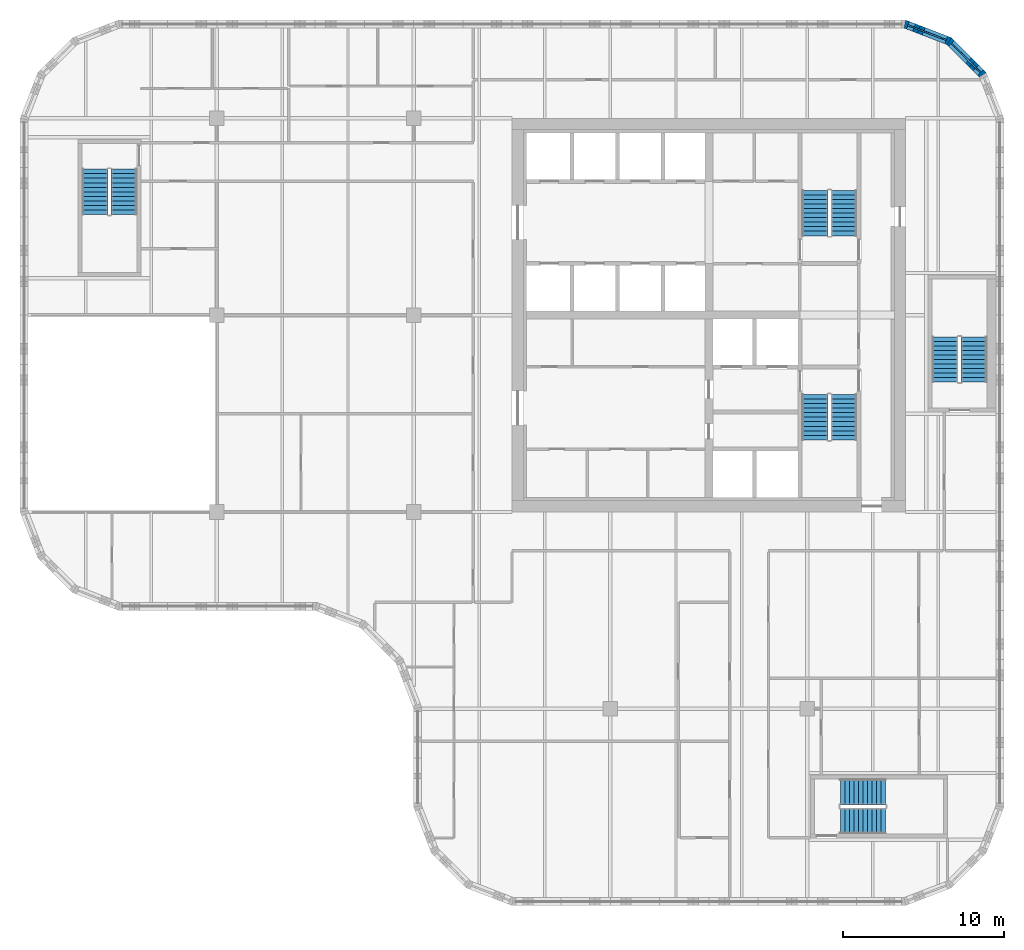
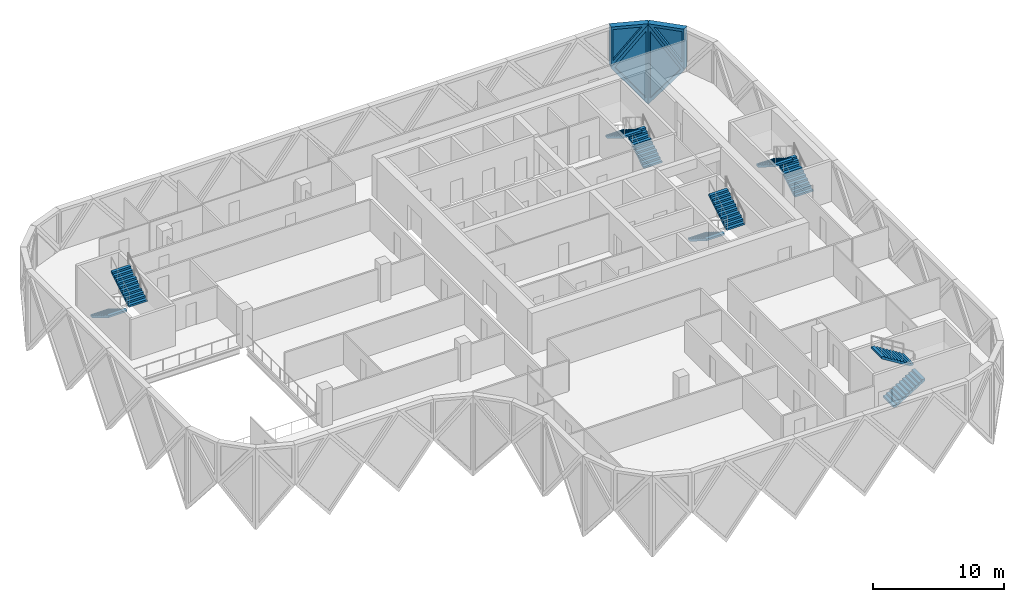
# One storey, part 14 of 15: 10 stair flights, 4 plates, 4 walls, 4 openings, 5 elements without a shape of their own.
"""IFC4 building model written with IfcOpenShell, lengths in metres."""

from ifc_helpers import new_model, si_unit, direction, frame, origin, place, context, subcontext, project, spatial, polyline, outline, extrude, faceted_brep, source, transform, mapped, material, layer, layer_set, type_object, element, fill, aggregate, save


model = new_model("IFC4")

# Units and contexts
model_context = context("Model", 3, precision=1e-05, world=origin(), true_north=direction((0.0, 1.0)))
body_context = subcontext(model_context, "Body", "Model", "MODEL_VIEW")
ifc_project = project(units=[si_unit("LENGTHUNIT", "METRE"), si_unit("AREAUNIT", "SQUARE_METRE"), si_unit("VOLUMEUNIT", "CUBIC_METRE"), si_unit("PLANEANGLEUNIT", "RADIAN"), si_unit("MASSUNIT", "GRAM", prefix="KILO")], contexts=[model_context])

# Site, building, storey
site_placement = place(None, origin())
site = spatial("IfcSite", under=ifc_project, at=site_placement, CompositionType="ELEMENT")
building_placement = place(site_placement, origin())
building = spatial("IfcBuilding", under=site, at=building_placement, Name="Tessera Gate Towers", CompositionType="ELEMENT")
storey_placement = place(building_placement, frame((0.0, 0.0, 146.800048828125)))
storey = spatial("IfcBuildingStorey", under=building, at=storey_placement, Name="L36", CompositionType="ELEMENT", Elevation=146.800048828125)

# Wall, opening, plate
ifc_material_1 = material(Name="Precast concrete C60/75 white", Category="concrete")
ifc_layer_1 = layer(ifc_material_1, 0.5)
ifc_layer_set_1 = layer_set([ifc_layer_1], Name="TS3 corner tessera")
wall_type = type_object("IfcWallType", Name="TS3 corner tessera", PredefinedType="SOLIDWALL", material=ifc_layer_set_1)
shared_shape_1 = source(origin(), body_context, "Body", "Brep", [
    faceted_brep([(2.944091796875, -0.25, 0.0), (2.9970703125, -0.25, 0.068115234375), (2.9970703125, -0.25, 7.531982421875), (2.944091796875, -0.25, 7.60009765625), (0.0, -0.25, 3.800048828125), (0.052978515625, 0.25, 3.868408203125), (2.89111328125, 0.25, 7.531982421875), (2.89111328125, 0.25, 0.068115234375), (0.052978515625, 0.25, 3.731689453125), (2.944091796875, 0.000244140625, 0.0), (2.944091796875, 0.000244140625, 7.60009765625), (0.0, 0.0, 3.800048828125)], [[[0, 1, 2, 3, 4]], [[5, 6, 7, 8]], [[1, 0, 9]], [[10, 3, 2]], [[6, 5, 11, 4, 3, 10]], [[8, 7, 9, 0, 4, 11]], [[8, 11, 5]], [[1, 9, 7, 6, 10, 2]]]),
])
wall_1_placement = place(storey_placement, frame((59.68798828125, 51.50634765625, -3.800048828125), z_axis=(0.0, 0.0, 1.0), x_axis=(-0.707106781187, 0.707106781187, 0.0)))
wall_1 = element("IfcWall", 1, at=wall_1_placement, inside=storey, type_object=wall_type, Name="Precast corner tessera T1 TS3-0823", PredefinedType="SOLIDWALL", context=body_context, shape_type="MappedRepresentation", body=[
    mapped(shared_shape_1, transform((0.0, 0.0, 0.0), scale=1.0)),
])
shared_shape_2 = source(origin(), body_context, "Body", "SweptSolid", [
    extrude(outline(polyline([(2.744140625, 6.93359375), (0.316162109375, 3.800048828125), (2.744140625, 0.666259765625), (2.744140625, 6.93359375)])), frame((0.0, 0.260009765625, 0.0), z_axis=(0.0, -1.0, 0.0), x_axis=(1.0, 0.0, 0.0)), (0.0, 0.0, 1.0), 0.52001953125),
])
opening_1_placement = place(wall_1_placement, origin())
opening_1 = element("IfcOpeningElement", 2, at=opening_1_placement, cuts=wall_1, Name="Opening T1-PL2-1285", PredefinedType="OPENING", context=body_context, shape_type="MappedRepresentation", body=[
    mapped(shared_shape_2, transform((0.0, 0.0, 0.0), scale=1.0)),
])
ifc_material_2 = material(Name="Low-e laminated glass", Category="glass")
ifc_layer_2 = layer(ifc_material_2, 0.06005859375)
ifc_layer_set_2 = layer_set([ifc_layer_2], Name="PL2 rhombic pane")
plate_type_1 = type_object("IfcPlateType", Name="PL2 rhombic pane", PredefinedType="SHEET", material=ifc_layer_set_2)
shared_shape_3 = source(origin(), body_context, "Body", "SweptSolid", [
    extrude(outline(polyline([(2.744140625, 6.93359375), (0.316162109375, 3.800048828125), (2.744140625, 0.666259765625), (2.744140625, 6.93359375)])), frame((0.0, 0.030029296875, 0.0), z_axis=(0.0, -1.0, 0.0), x_axis=(1.0, 0.0, 0.0)), (0.0, 0.0, 1.0), 0.06005859375),
])
plate_1_placement = place(opening_1_placement, origin())
plate_1 = element("IfcPlate", 3, at=plate_1_placement, inside=storey, type_object=plate_type_1, Name="Glass pane T1 PL2-1285", PredefinedType="SHEET", context=body_context, shape_type="MappedRepresentation", body=[
    mapped(shared_shape_3, transform((0.0, 0.0, 0.0), scale=1.0)),
])
fill(opening_1, plate_1)

shared_shape_4 = source(origin(), body_context, "Body", "Brep", [
    faceted_brep([(0.052978515625, -0.25, 0.0), (3.00341796875, -0.25, 3.800048828125), (0.052978515625, -0.25, 7.60009765625), (0.0, -0.25, 7.53173828125), (0.0, -0.25, 0.068359375), (0.10595703125, 0.25, 7.531982421875), (2.95703125, 0.25, 3.85986328125), (2.95703125, 0.25, 3.740234375), (0.10595703125, 0.25, 0.068115234375), (3.00341796875, 0.00048828125, 3.800048828125), (0.052978515625, 0.0, 0.0), (0.052978515625, 0.0, 7.60009765625)], [[[0, 1, 2, 3, 4]], [[5, 6, 7, 8]], [[8, 7, 9, 1, 0, 10]], [[6, 5, 11, 2, 1, 9]], [[3, 2, 11]], [[10, 0, 4]], [[8, 10, 4, 3, 11, 5]], [[9, 7, 6]]]),
])
wall_2_placement = place(storey_placement, frame((57.65576171875, 53.569091796875, -3.800048828125), z_axis=(0.0, 0.0, 1.0), x_axis=(-0.933007896601, 0.359855894603, 0.0)))
wall_2 = element("IfcWall", 4, at=wall_2_placement, inside=storey, type_object=wall_type, Name="Precast corner tessera T1 TS3-0824", PredefinedType="SOLIDWALL", context=body_context, shape_type="MappedRepresentation", body=[
    mapped(shared_shape_4, transform((0.0, 0.0, 0.0), scale=1.0)),
])
shared_shape_5 = source(origin(), body_context, "Body", "SweptSolid", [
    extrude(outline(polyline([(0.2529296875, 0.665283203125), (2.68701171875, 3.800048828125), (0.2529296875, 6.934814453125), (0.2529296875, 0.665283203125)])), frame((0.0, 0.260009765625, 0.0), z_axis=(0.0, -1.0, 0.0), x_axis=(1.0, 0.0, 0.0)), (0.0, 0.0, 1.0), 0.52001953125),
])
opening_2_placement = place(wall_2_placement, origin())
opening_2 = element("IfcOpeningElement", 5, at=opening_2_placement, cuts=wall_2, Name="Opening T1-PL2-1286", PredefinedType="OPENING", context=body_context, shape_type="MappedRepresentation", body=[
    mapped(shared_shape_5, transform((0.0, 0.0, 0.0), scale=1.0)),
])
shared_shape_6 = source(origin(), body_context, "Body", "SweptSolid", [
    extrude(outline(polyline([(0.2529296875, 0.665283203125), (2.68701171875, 3.800048828125), (0.2529296875, 6.934814453125), (0.2529296875, 0.665283203125)])), frame((0.0, 0.030029296875, 0.0), z_axis=(0.0, -1.0, 0.0), x_axis=(1.0, 0.0, 0.0)), (0.0, 0.0, 1.0), 0.06005859375),
])
plate_2_placement = place(opening_2_placement, origin())
plate_2 = element("IfcPlate", 6, at=plate_2_placement, inside=storey, type_object=plate_type_1, Name="Glass pane T1 PL2-1286", PredefinedType="SHEET", context=body_context, shape_type="MappedRepresentation", body=[
    mapped(shared_shape_6, transform((0.0, 0.0, 0.0), scale=1.0)),
])
fill(opening_2, plate_2)

shared_shape_7 = source(origin(), body_context, "Body", "Brep", [
    faceted_brep([(0.052978515625, -0.25, 0.0), (2.9970703125, -0.25, 3.800048828125), (0.0, -0.25, 3.800048828125), (0.0, -0.25, 0.068115234375), (0.10595703125, 0.25, 3.800048828125), (2.944091796875, 0.25, 3.800048828125), (2.944091796875, 0.25, 3.73193359375), (0.10595703125, 0.25, 0.068359375), (2.9970703125, 0.000244140625, 3.800048828125), (0.052978515625, 0.0, 0.0)], [[[0, 1, 2, 3]], [[4, 5, 6, 7]], [[7, 6, 8, 1, 0, 9]], [[5, 4, 2, 1, 8]], [[9, 0, 3]], [[7, 9, 3, 2, 4]], [[6, 5, 8]]]),
])
wall_3_placement = place(storey_placement, frame((59.7255859375, 51.46875, 0.0), z_axis=(0.0, 0.0, 1.0), x_axis=(-0.707106781187, 0.707106781187, 0.0)))
wall_3 = element("IfcWall", 7, at=wall_3_placement, inside=storey, type_object=wall_type, Name="Precast corner tessera T1 TS3-0848", PredefinedType="SOLIDWALL", context=body_context, shape_type="MappedRepresentation", body=[
    mapped(shared_shape_7, transform((0.0, 0.0, 0.0), scale=1.0)),
])
shared_shape_8 = source(origin(), body_context, "Body", "SweptSolid", [
    extrude(outline(polyline([(0.2529296875, 0.666259765625), (2.487060546875, 3.550048828125), (0.2529296875, 3.550048828125), (0.2529296875, 0.666259765625)])), frame((0.0, 0.260009765625, 0.0), z_axis=(0.0, -1.0, 0.0), x_axis=(1.0, 0.0, 0.0)), (0.0, 0.0, 1.0), 0.52001953125),
])
opening_3_placement = place(wall_3_placement, origin())
opening_3 = element("IfcOpeningElement", 8, at=opening_3_placement, cuts=wall_3, Name="Opening T1-PL1-0346", PredefinedType="OPENING", context=body_context, shape_type="MappedRepresentation", body=[
    mapped(shared_shape_8, transform((0.0, 0.0, 0.0), scale=1.0)),
])
ifc_material_3 = material(Name="Low-e laminated glass", Category="glass")
ifc_layer_3 = layer(ifc_material_3, 0.06005859375)
ifc_layer_set_3 = layer_set([ifc_layer_3], Name="PL1 triangular pane")
plate_type_2 = type_object("IfcPlateType", Name="PL1 triangular pane", PredefinedType="SHEET", material=ifc_layer_set_3)
shared_shape_9 = source(origin(), body_context, "Body", "SweptSolid", [
    extrude(outline(polyline([(0.2529296875, 0.666259765625), (2.487060546875, 3.550048828125), (0.2529296875, 3.550048828125), (0.2529296875, 0.666259765625)])), frame((0.0, 0.030029296875, 0.0), z_axis=(0.0, -1.0, 0.0), x_axis=(1.0, 0.0, 0.0)), (0.0, 0.0, 1.0), 0.06005859375),
])
plate_3_placement = place(opening_3_placement, origin())
plate_3 = element("IfcPlate", 9, at=plate_3_placement, inside=storey, type_object=plate_type_2, Name="Glass pane T1 PL1-0346", PredefinedType="SHEET", context=body_context, shape_type="MappedRepresentation", body=[
    mapped(shared_shape_9, transform((0.0, 0.0, 0.0), scale=1.0)),
])
fill(opening_3, plate_3)

shared_shape_10 = source(origin(), body_context, "Body", "Brep", [
    faceted_brep([(2.950439453125, -0.25, 0.0), (2.9970703125, -0.25, 0.05908203125), (2.9970703125, -0.25, 3.800048828125), (0.0, -0.25, 3.800048828125), (0.052978515625, 0.25, 3.800048828125), (2.904052734375, 0.25, 3.800048828125), (2.904052734375, 0.25, 0.059814453125), (0.052978515625, 0.25, 3.73193359375), (2.950439453125, 0.00048828125, 0.0), (0.0, 0.0, 3.800048828125)], [[[0, 1, 2, 3]], [[4, 5, 6, 7]], [[1, 0, 8]], [[5, 4, 9, 3, 2]], [[7, 6, 8, 0, 3, 9]], [[7, 9, 4]], [[1, 8, 6, 5, 2]]]),
])
wall_4_placement = place(storey_placement, frame((57.606201171875, 53.588134765625, 0.0), z_axis=(0.0, 0.0, 1.0), x_axis=(-0.932990326376, 0.359901446078, 0.0)))
wall_4 = element("IfcWall", 10, at=wall_4_placement, inside=storey, type_object=wall_type, Name="Precast corner tessera T1 TS3-0849", PredefinedType="SOLIDWALL", context=body_context, shape_type="MappedRepresentation", body=[
    mapped(shared_shape_10, transform((0.0, 0.0, 0.0), scale=1.0)),
])
shared_shape_11 = source(origin(), body_context, "Body", "SweptSolid", [
    extrude(outline(polyline([(2.75048828125, 3.550048828125), (0.5107421875, 3.550048828125), (2.75048828125, 0.665283203125), (2.75048828125, 3.550048828125)])), frame((0.0, 0.260009765625, 0.0), z_axis=(0.0, -1.0, 0.0), x_axis=(1.0, 0.0, 0.0)), (0.0, 0.0, 1.0), 0.52001953125),
])
opening_4_placement = place(wall_4_placement, origin())
opening_4 = element("IfcOpeningElement", 11, at=opening_4_placement, cuts=wall_4, Name="Opening T1-PL1-0347", PredefinedType="OPENING", context=body_context, shape_type="MappedRepresentation", body=[
    mapped(shared_shape_11, transform((0.0, 0.0, 0.0), scale=1.0)),
])
shared_shape_12 = source(origin(), body_context, "Body", "SweptSolid", [
    extrude(outline(polyline([(2.75048828125, 3.550048828125), (0.5107421875, 3.550048828125), (2.75048828125, 0.665283203125), (2.75048828125, 3.550048828125)])), frame((0.0, 0.030029296875, 0.0), z_axis=(0.0, -1.0, 0.0), x_axis=(1.0, 0.0, 0.0)), (0.0, 0.0, 1.0), 0.06005859375),
])
plate_4_placement = place(opening_4_placement, origin())
plate_4 = element("IfcPlate", 12, at=plate_4_placement, inside=storey, type_object=plate_type_2, Name="Glass pane T1 PL1-0347", PredefinedType="SHEET", context=body_context, shape_type="MappedRepresentation", body=[
    mapped(shared_shape_12, transform((0.0, 0.0, 0.0), scale=1.0)),
])
fill(opening_4, plate_4)

# Stair, stair flights
ifc_material_4 = material(Name="Concrete C40/50", Category="concrete")
stair_type_1 = type_object("IfcStairType", Name="EXIT STAIR ST1 1600", PredefinedType="HALF_TURN_STAIR", material=ifc_material_4)
stair_1_placement = place(storey_placement, origin())
stair_1 = element("IfcStair", 13, at=stair_1_placement, inside=storey, type_object=stair_type_1, Name="L36 Protected Exit Stair ST1", PredefinedType="HALF_TURN_STAIR")
ifc_material_5 = material(Name="Concrete C40/50", Category="concrete")
stair_flight_type_1 = type_object("IfcStairFlightType", Name="EXIT STAIR FLIGHT ST1 1600", PredefinedType="STRAIGHT", material=ifc_material_5)
stair_flight_1_placement = place(storey_placement, frame((49.27490234375, 31.675048828125, 0.0), z_axis=(0.0, 0.0, 1.0), x_axis=(0.0, -1.0, 0.0)))
stair_flight_1 = element("IfcStairFlight", 14, at=stair_flight_1_placement, type_object=stair_flight_type_1, Name="ST1 flight 1", NumberOfRisers=11, NumberOfTreads=10, PredefinedType="STRAIGHT", RiserHeight=0.172727273, TreadLength=0.28, context=body_context, shape_type="SweptSolid", body=[
    extrude(outline(polyline([(0.0, 0.0), (0.0, 0.172607421875), (0.280029296875, 0.172607421875), (0.280029296875, 0.345458984375), (0.56005859375, 0.345458984375), (0.56005859375, 0.51806640625), (0.840087890625, 0.51806640625), (0.840087890625, 0.69091796875), (1.1201171875, 0.69091796875), (1.1201171875, 0.863525390625), (1.39990234375, 0.863525390625), (1.39990234375, 1.036376953125), (1.679931640625, 1.036376953125), (1.679931640625, 1.208984375), (1.9599609375, 1.208984375), (1.9599609375, 1.3818359375), (2.239990234375, 1.3818359375), (2.239990234375, 1.554443359375), (2.52001953125, 1.554443359375), (2.52001953125, 1.727294921875), (2.800048828125, 1.727294921875), (2.800048828125, 1.89990234375), (2.800048828125, 1.551025390625), (0.285400390625, 0.0), (0.0, 0.0)])), frame((0.0, 0.800048828125, 0.0), z_axis=(0.0, -1.0, 0.0), x_axis=(1.0, 0.0, 0.0)), (0.0, 0.0, 1.0), 1.60009765625),
])
stair_flight_2_placement = place(storey_placement, frame((51.074951171875, 28.875, 1.89990234375), z_axis=(0.0, 0.0, 1.0), x_axis=(0.0, 1.0, 0.0)))
stair_flight_2 = element("IfcStairFlight", 15, at=stair_flight_2_placement, type_object=stair_flight_type_1, Name="ST1 flight 2", NumberOfRisers=11, NumberOfTreads=10, PredefinedType="STRAIGHT", RiserHeight=0.172727273, TreadLength=0.28, context=body_context, shape_type="SweptSolid", body=[
    extrude(outline(polyline([(0.0, 0.0), (0.0, 0.172607421875), (0.280029296875, 0.172607421875), (0.280029296875, 0.345458984375), (0.56005859375, 0.345458984375), (0.56005859375, 0.51806640625), (0.840087890625, 0.51806640625), (0.840087890625, 0.69091796875), (1.1201171875, 0.69091796875), (1.1201171875, 0.863525390625), (1.39990234375, 0.863525390625), (1.39990234375, 1.036376953125), (1.679931640625, 1.036376953125), (1.679931640625, 1.208984375), (1.9599609375, 1.208984375), (1.9599609375, 1.3818359375), (2.239990234375, 1.3818359375), (2.239990234375, 1.554443359375), (2.52001953125, 1.554443359375), (2.52001953125, 1.727294921875), (2.800048828125, 1.727294921875), (2.800048828125, 1.89990234375), (2.800048828125, 1.551025390625), (0.285400390625, 0.0), (0.0, 0.0)])), frame((0.0, 0.800048828125, 0.0), z_axis=(0.0, -1.0, 0.0), x_axis=(1.0, 0.0, 0.0)), (0.0, 0.0, 1.0), 1.60009765625),
])
aggregate(stair_1, [stair_flight_1, stair_flight_2])

ifc_material_6 = material(Name="Concrete C40/50", Category="concrete")
stair_type_2 = type_object("IfcStairType", Name="EXIT STAIR ST2 1600", PredefinedType="HALF_TURN_STAIR", material=ifc_material_6)
stair_2_placement = place(storey_placement, origin())
stair_2 = element("IfcStair", 16, at=stair_2_placement, inside=storey, type_object=stair_type_2, Name="L36 Protected Exit Stair ST2", PredefinedType="HALF_TURN_STAIR")
ifc_material_7 = material(Name="Concrete C40/50", Category="concrete")
stair_flight_type_2 = type_object("IfcStairFlightType", Name="EXIT STAIR FLIGHT ST2 1600", PredefinedType="STRAIGHT", material=ifc_material_7)
stair_flight_3_placement = place(storey_placement, frame((51.074951171875, 41.52490234375, 0.0), z_axis=(0.0, 0.0, 1.0), x_axis=(0.0, 1.0, 0.0)))
stair_flight_3 = element("IfcStairFlight", 17, at=stair_flight_3_placement, type_object=stair_flight_type_2, Name="ST2 flight 1", NumberOfRisers=11, NumberOfTreads=10, PredefinedType="STRAIGHT", RiserHeight=0.172727273, TreadLength=0.28, context=body_context, shape_type="SweptSolid", body=[
    extrude(outline(polyline([(0.0, 0.0), (0.0, 0.172607421875), (0.280029296875, 0.172607421875), (0.280029296875, 0.345458984375), (0.56005859375, 0.345458984375), (0.56005859375, 0.51806640625), (0.840087890625, 0.51806640625), (0.840087890625, 0.69091796875), (1.1201171875, 0.69091796875), (1.1201171875, 0.863525390625), (1.39990234375, 0.863525390625), (1.39990234375, 1.036376953125), (1.679931640625, 1.036376953125), (1.679931640625, 1.208984375), (1.9599609375, 1.208984375), (1.9599609375, 1.3818359375), (2.239990234375, 1.3818359375), (2.239990234375, 1.554443359375), (2.52001953125, 1.554443359375), (2.52001953125, 1.727294921875), (2.800048828125, 1.727294921875), (2.800048828125, 1.89990234375), (2.800048828125, 1.551025390625), (0.285400390625, 0.0), (0.0, 0.0)])), frame((0.0, 0.800048828125, 0.0), z_axis=(0.0, -1.0, 0.0), x_axis=(1.0, 0.0, 0.0)), (0.0, 0.0, 1.0), 1.60009765625),
])
stair_flight_4_placement = place(storey_placement, frame((49.27490234375, 44.324951171875, 1.89990234375), z_axis=(0.0, 0.0, 1.0), x_axis=(0.0, -1.0, 0.0)))
stair_flight_4 = element("IfcStairFlight", 18, at=stair_flight_4_placement, type_object=stair_flight_type_2, Name="ST2 flight 2", NumberOfRisers=11, NumberOfTreads=10, PredefinedType="STRAIGHT", RiserHeight=0.172727273, TreadLength=0.28, context=body_context, shape_type="SweptSolid", body=[
    extrude(outline(polyline([(0.0, 0.0), (0.0, 0.172607421875), (0.280029296875, 0.172607421875), (0.280029296875, 0.345458984375), (0.56005859375, 0.345458984375), (0.56005859375, 0.51806640625), (0.840087890625, 0.51806640625), (0.840087890625, 0.69091796875), (1.1201171875, 0.69091796875), (1.1201171875, 0.863525390625), (1.39990234375, 0.863525390625), (1.39990234375, 1.036376953125), (1.679931640625, 1.036376953125), (1.679931640625, 1.208984375), (1.9599609375, 1.208984375), (1.9599609375, 1.3818359375), (2.239990234375, 1.3818359375), (2.239990234375, 1.554443359375), (2.52001953125, 1.554443359375), (2.52001953125, 1.727294921875), (2.800048828125, 1.727294921875), (2.800048828125, 1.89990234375), (2.800048828125, 1.551025390625), (0.285400390625, 0.0), (0.0, 0.0)])), frame((0.0, 0.800048828125, 0.0), z_axis=(0.0, -1.0, 0.0), x_axis=(1.0, 0.0, 0.0)), (0.0, 0.0, 1.0), 1.60009765625),
])
aggregate(stair_2, [stair_flight_3, stair_flight_4])

ifc_material_8 = material(Name="Concrete C40/50", Category="concrete")
stair_type_3 = type_object("IfcStairType", Name="EXIT STAIR ST3 1600", PredefinedType="HALF_TURN_STAIR", material=ifc_material_8)
stair_3_placement = place(storey_placement, origin())
stair_3 = element("IfcStair", 19, at=stair_3_placement, inside=storey, type_object=stair_type_3, Name="L36 West Exit Stair ST3", PredefinedType="HALF_TURN_STAIR")
ifc_material_9 = material(Name="Concrete C40/50", Category="concrete")
stair_flight_type_3 = type_object("IfcStairFlightType", Name="EXIT STAIR FLIGHT ST3 1600", PredefinedType="STRAIGHT", material=ifc_material_9)
stair_flight_5_placement = place(storey_placement, frame((4.64990234375, 45.64990234375, 0.0), z_axis=(0.0, 0.0, 1.0), x_axis=(0.0, -1.0, 0.0)))
stair_flight_5 = element("IfcStairFlight", 20, at=stair_flight_5_placement, type_object=stair_flight_type_3, Name="ST3 flight 1", NumberOfRisers=11, NumberOfTreads=10, PredefinedType="STRAIGHT", RiserHeight=0.172727273, TreadLength=0.28, context=body_context, shape_type="SweptSolid", body=[
    extrude(outline(polyline([(0.0, 0.0), (0.0, 0.172607421875), (0.280029296875, 0.172607421875), (0.280029296875, 0.345458984375), (0.56005859375, 0.345458984375), (0.56005859375, 0.51806640625), (0.840087890625, 0.51806640625), (0.840087890625, 0.69091796875), (1.1201171875, 0.69091796875), (1.1201171875, 0.863525390625), (1.39990234375, 0.863525390625), (1.39990234375, 1.036376953125), (1.679931640625, 1.036376953125), (1.679931640625, 1.208984375), (1.9599609375, 1.208984375), (1.9599609375, 1.3818359375), (2.239990234375, 1.3818359375), (2.239990234375, 1.554443359375), (2.52001953125, 1.554443359375), (2.52001953125, 1.727294921875), (2.800048828125, 1.727294921875), (2.800048828125, 1.89990234375), (2.800048828125, 1.551025390625), (0.285400390625, 0.0), (0.0, 0.0)])), frame((0.0, 0.800048828125, 0.0), z_axis=(0.0, -1.0, 0.0), x_axis=(1.0, 0.0, 0.0)), (0.0, 0.0, 1.0), 1.60009765625),
])
stair_flight_6_placement = place(storey_placement, frame((6.449951171875, 42.85009765625, 1.89990234375), z_axis=(0.0, 0.0, 1.0), x_axis=(0.0, 1.0, 0.0)))
stair_flight_6 = element("IfcStairFlight", 21, at=stair_flight_6_placement, type_object=stair_flight_type_3, Name="ST3 flight 2", NumberOfRisers=11, NumberOfTreads=10, PredefinedType="STRAIGHT", RiserHeight=0.172727273, TreadLength=0.28, context=body_context, shape_type="SweptSolid", body=[
    extrude(outline(polyline([(0.0, 0.0), (0.0, 0.172607421875), (0.280029296875, 0.172607421875), (0.280029296875, 0.345458984375), (0.56005859375, 0.345458984375), (0.56005859375, 0.51806640625), (0.840087890625, 0.51806640625), (0.840087890625, 0.69091796875), (1.1201171875, 0.69091796875), (1.1201171875, 0.863525390625), (1.39990234375, 0.863525390625), (1.39990234375, 1.036376953125), (1.679931640625, 1.036376953125), (1.679931640625, 1.208984375), (1.9599609375, 1.208984375), (1.9599609375, 1.3818359375), (2.239990234375, 1.3818359375), (2.239990234375, 1.554443359375), (2.52001953125, 1.554443359375), (2.52001953125, 1.727294921875), (2.800048828125, 1.727294921875), (2.800048828125, 1.89990234375), (2.800048828125, 1.551025390625), (0.285400390625, 0.0), (0.0, 0.0)])), frame((0.0, 0.800048828125, 0.0), z_axis=(0.0, -1.0, 0.0), x_axis=(1.0, 0.0, 0.0)), (0.0, 0.0, 1.0), 1.60009765625),
])
aggregate(stair_3, [stair_flight_5, stair_flight_6])

ifc_material_10 = material(Name="Concrete C40/50", Category="concrete")
stair_type_4 = type_object("IfcStairType", Name="EXIT STAIR ST4 1600", PredefinedType="HALF_TURN_STAIR", material=ifc_material_10)
stair_4_placement = place(storey_placement, origin())
stair_4 = element("IfcStair", 22, at=stair_4_placement, inside=storey, type_object=stair_type_4, Name="L36 South Exit Stair ST4", PredefinedType="HALF_TURN_STAIR")
ifc_material_11 = material(Name="Concrete C40/50", Category="concrete")
stair_flight_type_4 = type_object("IfcStairFlightType", Name="EXIT STAIR FLIGHT ST4 1600", PredefinedType="STRAIGHT", material=ifc_material_11)
stair_flight_7_placement = place(storey_placement, frame((50.85009765625, 5.25, 0.0), z_axis=(0.0, 0.0, 1.0), x_axis=(1.0, 0.0, 0.0)))
stair_flight_7 = element("IfcStairFlight", 23, at=stair_flight_7_placement, type_object=stair_flight_type_4, Name="ST4 flight 1", NumberOfRisers=11, NumberOfTreads=10, PredefinedType="STRAIGHT", RiserHeight=0.172727273, TreadLength=0.28, context=body_context, shape_type="SweptSolid", body=[
    extrude(outline(polyline([(0.0, 0.0), (0.0, 0.172607421875), (0.280029296875, 0.172607421875), (0.280029296875, 0.345458984375), (0.56005859375, 0.345458984375), (0.56005859375, 0.51806640625), (0.840087890625, 0.51806640625), (0.840087890625, 0.69091796875), (1.1201171875, 0.69091796875), (1.1201171875, 0.863525390625), (1.39990234375, 0.863525390625), (1.39990234375, 1.036376953125), (1.679931640625, 1.036376953125), (1.679931640625, 1.208984375), (1.9599609375, 1.208984375), (1.9599609375, 1.3818359375), (2.239990234375, 1.3818359375), (2.239990234375, 1.554443359375), (2.52001953125, 1.554443359375), (2.52001953125, 1.727294921875), (2.800048828125, 1.727294921875), (2.800048828125, 1.89990234375), (2.800048828125, 1.551025390625), (0.285400390625, 0.0), (0.0, 0.0)])), frame((0.0, 0.800048828125, 0.0), z_axis=(0.0, -1.0, 0.0), x_axis=(1.0, 0.0, 0.0)), (0.0, 0.0, 1.0), 1.60009765625),
])
stair_flight_8_placement = place(storey_placement, frame((53.64990234375, 7.050048828125, 1.89990234375), z_axis=(0.0, 0.0, 1.0), x_axis=(-1.0, 0.0, 0.0)))
stair_flight_8 = element("IfcStairFlight", 24, at=stair_flight_8_placement, type_object=stair_flight_type_4, Name="ST4 flight 2", NumberOfRisers=11, NumberOfTreads=10, PredefinedType="STRAIGHT", RiserHeight=0.172727273, TreadLength=0.28, context=body_context, shape_type="SweptSolid", body=[
    extrude(outline(polyline([(0.0, 0.0), (0.0, 0.172607421875), (0.280029296875, 0.172607421875), (0.280029296875, 0.345458984375), (0.56005859375, 0.345458984375), (0.56005859375, 0.51806640625), (0.840087890625, 0.51806640625), (0.840087890625, 0.69091796875), (1.1201171875, 0.69091796875), (1.1201171875, 0.863525390625), (1.39990234375, 0.863525390625), (1.39990234375, 1.036376953125), (1.679931640625, 1.036376953125), (1.679931640625, 1.208984375), (1.9599609375, 1.208984375), (1.9599609375, 1.3818359375), (2.239990234375, 1.3818359375), (2.239990234375, 1.554443359375), (2.52001953125, 1.554443359375), (2.52001953125, 1.727294921875), (2.800048828125, 1.727294921875), (2.800048828125, 1.89990234375), (2.800048828125, 1.551025390625), (0.285400390625, 0.0), (0.0, 0.0)])), frame((0.0, 0.800048828125, 0.0), z_axis=(0.0, -1.0, 0.0), x_axis=(1.0, 0.0, 0.0)), (0.0, 0.0, 1.0), 1.60009765625),
])
aggregate(stair_4, [stair_flight_7, stair_flight_8])

ifc_material_12 = material(Name="Concrete C40/50", Category="concrete")
stair_type_5 = type_object("IfcStairType", Name="EXIT STAIR ST5 1600", PredefinedType="HALF_TURN_STAIR", material=ifc_material_12)
stair_5_placement = place(storey_placement, origin())
stair_5 = element("IfcStair", 25, at=stair_5_placement, inside=storey, type_object=stair_type_5, Name="L36 East Exit Stair ST5", PredefinedType="HALF_TURN_STAIR")
ifc_material_13 = material(Name="Concrete C40/50", Category="concrete")
stair_flight_type_5 = type_object("IfcStairFlightType", Name="EXIT STAIR FLIGHT ST5 1600", PredefinedType="STRAIGHT", material=ifc_material_13)
stair_flight_9_placement = place(storey_placement, frame((59.14990234375, 32.449951171875, 0.0), z_axis=(0.0, 0.0, 1.0), x_axis=(0.0, 1.0, 0.0)))
stair_flight_9 = element("IfcStairFlight", 26, at=stair_flight_9_placement, type_object=stair_flight_type_5, Name="ST5 flight 1", NumberOfRisers=11, NumberOfTreads=10, PredefinedType="STRAIGHT", RiserHeight=0.172727273, TreadLength=0.28, context=body_context, shape_type="SweptSolid", body=[
    extrude(outline(polyline([(0.0, 0.0), (0.0, 0.172607421875), (0.280029296875, 0.172607421875), (0.280029296875, 0.345458984375), (0.56005859375, 0.345458984375), (0.56005859375, 0.51806640625), (0.840087890625, 0.51806640625), (0.840087890625, 0.69091796875), (1.1201171875, 0.69091796875), (1.1201171875, 0.863525390625), (1.39990234375, 0.863525390625), (1.39990234375, 1.036376953125), (1.679931640625, 1.036376953125), (1.679931640625, 1.208984375), (1.9599609375, 1.208984375), (1.9599609375, 1.3818359375), (2.239990234375, 1.3818359375), (2.239990234375, 1.554443359375), (2.52001953125, 1.554443359375), (2.52001953125, 1.727294921875), (2.800048828125, 1.727294921875), (2.800048828125, 1.89990234375), (2.800048828125, 1.551025390625), (0.285400390625, 0.0), (0.0, 0.0)])), frame((0.0, 0.800048828125, 0.0), z_axis=(0.0, -1.0, 0.0), x_axis=(1.0, 0.0, 0.0)), (0.0, 0.0, 1.0), 1.60009765625),
])
stair_flight_10_placement = place(storey_placement, frame((57.35009765625, 35.25, 1.89990234375), z_axis=(0.0, 0.0, 1.0), x_axis=(0.0, -1.0, 0.0)))
stair_flight_10 = element("IfcStairFlight", 27, at=stair_flight_10_placement, type_object=stair_flight_type_5, Name="ST5 flight 2", NumberOfRisers=11, NumberOfTreads=10, PredefinedType="STRAIGHT", RiserHeight=0.172727273, TreadLength=0.28, context=body_context, shape_type="SweptSolid", body=[
    extrude(outline(polyline([(0.0, 0.0), (0.0, 0.172607421875), (0.280029296875, 0.172607421875), (0.280029296875, 0.345458984375), (0.56005859375, 0.345458984375), (0.56005859375, 0.51806640625), (0.840087890625, 0.51806640625), (0.840087890625, 0.69091796875), (1.1201171875, 0.69091796875), (1.1201171875, 0.863525390625), (1.39990234375, 0.863525390625), (1.39990234375, 1.036376953125), (1.679931640625, 1.036376953125), (1.679931640625, 1.208984375), (1.9599609375, 1.208984375), (1.9599609375, 1.3818359375), (2.239990234375, 1.3818359375), (2.239990234375, 1.554443359375), (2.52001953125, 1.554443359375), (2.52001953125, 1.727294921875), (2.800048828125, 1.727294921875), (2.800048828125, 1.89990234375), (2.800048828125, 1.551025390625), (0.285400390625, 0.0), (0.0, 0.0)])), frame((0.0, 0.800048828125, 0.0), z_axis=(0.0, -1.0, 0.0), x_axis=(1.0, 0.0, 0.0)), (0.0, 0.0, 1.0), 1.60009765625),
])
aggregate(stair_5, [stair_flight_9, stair_flight_10])

save(model, "model.ifc")
